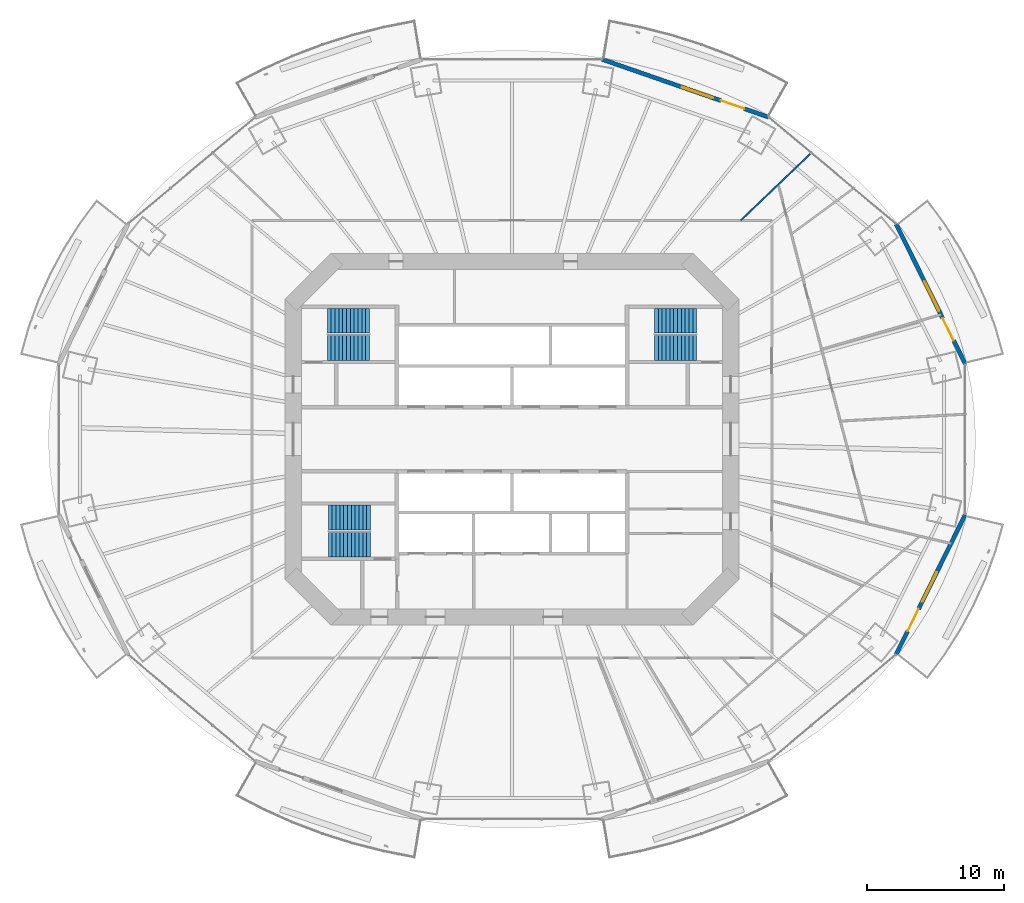
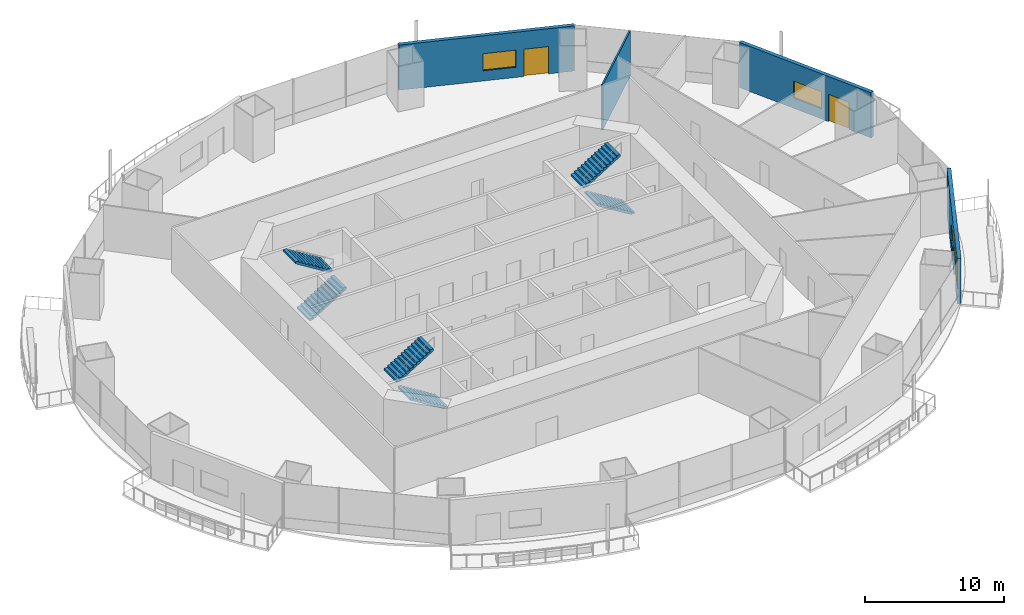
# One storey, part 16 of 21: 6 stair flights, 4 walls, 3 doors, 3 windows, 6 openings, 3 elements without a shape of their own.
"""IFC4 building model written with IfcOpenShell, lengths in metres."""

import ifcopenshell
import ifcopenshell.guid

model = None  # the IFC model being written
_history = None  # IfcOwnerHistory: only IFC2X3 demands one
_inside = {}  # id of a spatial element -> (the spatial element, [elements in it])
_under = {}  # id of a project, library or spatial element -> (it, [spatial elements below it])
_declared = {}  # id of a project -> (the project, [libraries it declares])
_typed = {}  # id of a type object -> (the type object, [elements of that type])
_made_of = {}  # id of a material, layer set ... -> (it, [elements and type objects made of it])


def new_model(schema):
    """Start an empty IFC model of exactly this schema.

    Asked for "IFC4X3", IfcOpenShell would pick the latest addendum, in which some entities
    have other attributes; the version numbers below select the first issue.
    IFC2X3 requires an IfcOwnerHistory on every rooted entity: one is made here for all.
    """
    global model, _history
    if schema == "IFC4X3":
        model = ifcopenshell.file(schema_version=(4, 3, 0, 0))
    else:
        model = ifcopenshell.file(schema=schema)
    _inside.clear()
    _under.clear()
    _declared.clear()
    _typed.clear()
    _made_of.clear()
    _history = None
    if model.schema == "IFC2X3":
        org = make("IfcOrganization", Name="unknown")
        user = make(
            "IfcPersonAndOrganization",
            ThePerson=make("IfcPerson", FamilyName="unknown"),
            TheOrganization=org,
        )
        app = make(
            "IfcApplication",
            ApplicationDeveloper=org,
            Version="unknown",
            ApplicationFullName="unknown",
            ApplicationIdentifier="unknown",
        )
        _history = make(
            "IfcOwnerHistory",
            OwningUser=user,
            OwningApplication=app,
            ChangeAction="ADDED",
            CreationDate=0,
        )
    return model


def make(cls, **values):
    """One entity of the class cls with the attributes given. An attribute that is None is left unset."""
    return model.create_entity(
        cls, **{name: value for name, value in values.items() if value is not None}
    )


def rooted(cls, **values):
    """An entity with a GlobalId (a new one), such as an element, a storey or a relation."""
    return make(cls, GlobalId=ifcopenshell.guid.new(), OwnerHistory=_history, **values)


def si_unit(unit_type, name, prefix=None):
    """IfcSIUnit, for example si_unit("LENGTHUNIT", "METRE", prefix="MILLI")."""
    return make("IfcSIUnit", UnitType=unit_type, Prefix=prefix, Name=name)


def assignment(units):
    """IfcUnitAssignment: the units of a project."""
    return None if units is None else make("IfcUnitAssignment", Units=units)


def point(xyz):
    """IfcCartesianPoint."""
    return None if xyz is None else make("IfcCartesianPoint", Coordinates=xyz)


def direction(xyz):
    """IfcDirection."""
    return None if xyz is None else make("IfcDirection", DirectionRatios=xyz)


def frame(location, z_axis=None, x_axis=None):
    """IfcAxis2Placement3D, a coordinate frame: its origin and axes. An axis left out is left unset."""
    return make(
        "IfcAxis2Placement3D",
        Location=point(location),
        Axis=direction(z_axis),
        RefDirection=direction(x_axis),
    )


def frame_2d(location, x_axis=None):
    """IfcAxis2Placement2D, a coordinate frame in the plane: its origin and x axis."""
    return make(
        "IfcAxis2Placement2D", Location=point(location), RefDirection=direction(x_axis)
    )


def origin():
    """The frame at (0, 0, 0) with its axes left unset."""
    return frame((0.0, 0.0, 0.0))


def place(relative_to, where):
    """IfcLocalPlacement: puts the frame where relative to a parent placement (None: the world)."""
    return make(
        "IfcLocalPlacement", PlacementRelTo=relative_to, RelativePlacement=where
    )


def context(
    kind, dimensions, precision=None, world=None, true_north=None, identifier=None
):
    """IfcGeometricRepresentationContext, for example the 3D "Model" context."""
    return make(
        "IfcGeometricRepresentationContext",
        ContextIdentifier=identifier,
        ContextType=kind,
        CoordinateSpaceDimension=dimensions,
        Precision=precision,
        WorldCoordinateSystem=world,
        TrueNorth=true_north,
    )


def subcontext(parent, identifier, kind, view, scale=None):
    """IfcGeometricRepresentationSubContext, for example "Body" below "Model"."""
    return make(
        "IfcGeometricRepresentationSubContext",
        ContextIdentifier=identifier,
        ContextType=kind,
        ParentContext=parent,
        TargetScale=scale,
        TargetView=view,
    )


def project(units=None, contexts=None):
    """IfcProject with its units and contexts."""
    return rooted(
        "IfcProject",
        Name="project",
        RepresentationContexts=contexts,
        UnitsInContext=assignment(units),
    )


def spatial(cls, under=None, at=None, **own):
    """A site, building, storey or space (cls), placed at a placement, below another one or the project."""
    s = rooted(cls, ObjectPlacement=at, **own)
    if under is not None:
        _under.setdefault(under.id(), (under, []))[1].append(s)
    return s


def polyline(points):
    """IfcPolyline through the points."""
    return make("IfcPolyline", Points=[point(p) for p in points])


def profile(cls, at=None, kind="AREA", **sizes):
    """A parametric profile (cls). Its sizes go by their IFC names, for example OverallWidth=200.0."""
    return make(cls, ProfileType=kind, Position=at, **sizes)


def rectangle(**sizes):
    """IfcRectangleProfileDef."""
    return profile("IfcRectangleProfileDef", **sizes)


def outline(outer, holes=None, kind="AREA"):
    """IfcArbitraryClosedProfileDef: a profile drawn as a closed curve; with holes, ...WithVoids."""
    if holes is None:
        return make("IfcArbitraryClosedProfileDef", ProfileType=kind, OuterCurve=outer)
    return make(
        "IfcArbitraryProfileDefWithVoids",
        ProfileType=kind,
        OuterCurve=outer,
        InnerCurves=holes,
    )


def extrude(swept, where, along, depth):
    """IfcExtrudedAreaSolid: the profile swept, set in the frame where, extruded along a direction by depth."""
    return make(
        "IfcExtrudedAreaSolid",
        SweptArea=swept,
        Position=where,
        ExtrudedDirection=direction(along),
        Depth=depth,
    )


def shape(context_of_items, identifier, shape_type, items):
    """IfcShapeRepresentation: the items that make up one representation, for example the "Body"."""
    return make(
        "IfcShapeRepresentation",
        ContextOfItems=context_of_items,
        RepresentationIdentifier=identifier,
        RepresentationType=shape_type,
        Items=items,
    )


def material(Name=None, Category=None):
    """IfcMaterial."""
    return make("IfcMaterial", Name=Name, Category=Category)


def layer(
    of_material, thickness, ventilated=None, Name=None, Category=None, Priority=None
):
    """IfcMaterialLayer: one layer of a wall or slab, of a material (None: an air gap)."""
    return make(
        "IfcMaterialLayer",
        Material=of_material,
        LayerThickness=thickness,
        IsVentilated=ventilated,
        Name=Name,
        Category=Category,
        Priority=Priority,
    )


def layer_set(layers, Name=None):
    """IfcMaterialLayerSet."""
    return make("IfcMaterialLayerSet", MaterialLayers=layers, LayerSetName=Name)


def made_of(thing, what):
    """Note that an element or type object is made of a material, layer set ...; save() writes the relation."""
    if what is not None:
        _made_of.setdefault(what.id(), (what, []))[1].append(thing)
    return thing


def type_object(cls, material=None, **own):
    """A type object (cls), such as IfcWallType, which elements share."""
    return made_of(rooted(cls, **own), material)


def element(
    cls,
    number,
    at=None,
    inside=None,
    cuts=None,
    type_object=None,
    material=None,
    context=None,
    identifier="Body",
    shape_type=None,
    held_by="IfcProductDefinitionShape",
    body=None,
    shapes=None,
    **own,
):
    """One element of the class cls, such as IfcWall. Its Tag is "e" and its number.

    at: its placement. inside: the storey or other place that contains it. cuts: it is an
    opening in that element (IfcRelVoidsElement). A single representation is given by context,
    identifier, shape_type and body (its items); several are given by shapes. held_by: the class
    of the entity that holds the representations. save() writes the other relations.
    """
    e = rooted(cls, Tag="e%d" % number, ObjectPlacement=at, **own)
    if body is not None:
        shapes = [shape(context, identifier, shape_type, body)]
    if shapes is not None:
        e.Representation = make(held_by, Representations=shapes)
    if inside is not None:
        _inside.setdefault(inside.id(), (inside, []))[1].append(e)
    if cuts is not None:
        rooted(
            "IfcRelVoidsElement", RelatingBuildingElement=cuts, RelatedOpeningElement=e
        )
    if type_object is not None:
        _typed.setdefault(type_object.id(), (type_object, []))[1].append(e)
    return made_of(e, material)


def fill(opening, filler):
    """IfcRelFillsElement: the door or window that sits in an opening."""
    return rooted(
        "IfcRelFillsElement",
        RelatingOpeningElement=opening,
        RelatedBuildingElement=filler,
    )


def aggregate(whole, parts):
    """IfcRelAggregates: a whole, such as a stair, and the parts it consists of."""
    return rooted("IfcRelAggregates", RelatingObject=whole, RelatedObjects=parts)


def save(model, path):
    """Write the relations noted so far, then the file.

    IfcRelAggregates (storeys below a building ...), IfcRelContainedInSpatialStructure (elements
    in a storey), IfcRelDefinesByType, IfcRelAssociatesMaterial and IfcRelDeclares: one each for
    every whole, place, type object, material and project.
    """
    for whole, parts in _under.values():
        aggregate(whole, parts)
    for where, things in _inside.values():
        rooted(
            "IfcRelContainedInSpatialStructure",
            RelatedElements=things,
            RelatingStructure=where,
        )
    for kind, things in _typed.values():
        rooted("IfcRelDefinesByType", RelatedObjects=things, RelatingType=kind)
    for what, things in _made_of.values():
        rooted("IfcRelAssociatesMaterial", RelatedObjects=things, RelatingMaterial=what)
    for by, libraries in _declared.values():
        rooted("IfcRelDeclares", RelatingContext=by, RelatedDefinitions=libraries)
    model.write(path)


model = new_model("IFC4")

# Units and contexts
model_context = context("Model", 3, precision=1e-05, world=origin(), true_north=direction((0.0, 1.0)))
body_context = subcontext(model_context, "Body", "Model", "MODEL_VIEW")
ifc_project = project(units=[si_unit("LENGTHUNIT", "METRE"), si_unit("AREAUNIT", "SQUARE_METRE"), si_unit("VOLUMEUNIT", "CUBIC_METRE"), si_unit("PLANEANGLEUNIT", "RADIAN"), si_unit("MASSUNIT", "GRAM", prefix="KILO")], contexts=[model_context])

# Site, building, storey
site_placement = place(None, origin())
site = spatial("IfcSite", under=ifc_project, at=site_placement, CompositionType="ELEMENT")
building_placement = place(site_placement, origin())
building = spatial("IfcBuilding", under=site, at=building_placement, Name="Marenthal Gate Tower", CompositionType="ELEMENT")
storey_placement = place(building_placement, frame((0.0, 0.0, 128.449951171875)))
storey = spatial("IfcBuildingStorey", under=building, at=storey_placement, Name="L27", CompositionType="ELEMENT", Elevation=128.449951171875)

# Wall
ifc_material_1 = material(Name="Gypsum board on steel studs", Category="steel")
ifc_layer_1 = layer(ifc_material_1, 0.1201171875)
ifc_layer_set_1 = layer_set([ifc_layer_1], Name="Partition 120")
wall_type_1 = type_object("IfcWallType", Name="Partition 120", PredefinedType="PARTITIONING", material=ifc_layer_set_1)
wall_1_placement = place(storey_placement, frame((16.72314453125, 16.0, 0.0), z_axis=(0.0, 0.0, 1.0), x_axis=(0.722554998294, 0.69131344153, 0.0)))
element("IfcWall", 1, at=wall_1_placement, inside=storey, type_object=wall_type_1, Name="Partition wall 53", PredefinedType="PARTITIONING", context=body_context, shape_type="SweptSolid", body=[
    extrude(rectangle(XDim=7.142578125, YDim=0.1201171875, at=frame_2d((3.5712890625, 0.0))), origin(), (0.0, 0.0, 1.0), 3.969970703125),
])

# Wall, openings, door, window
ifc_material_2 = material(Name="Terracotta cladding on insulated concrete-block backing", Category="masonry")
ifc_layer_2 = layer(ifc_material_2, 0.300048828125)
ifc_layer_set_2 = layer_set([ifc_layer_2], Name="Terracotta facade wall 300")
wall_type_2 = type_object("IfcWallType", Name="Terracotta facade wall 300", PredefinedType="SOLIDWALL", material=ifc_layer_set_2)
wall_2_placement = place(storey_placement, frame((33.134765625, 5.525390625, 0.0), z_axis=(0.0, 0.0, 1.0), x_axis=(-0.442972236493, 0.896535329865, 0.0)))
wall_2 = element("IfcWall", 2, at=wall_2_placement, inside=storey, type_object=wall_type_2, Name="Terracotta facade wall L27 bay 1", PredefinedType="SOLIDWALL", context=body_context, shape_type="SweptSolid", body=[
    extrude(rectangle(XDim=11.3876953125, YDim=0.300048828125, at=frame_2d((5.69384765625, 0.0))), origin(), (0.0, 0.0, 1.0), 3.969970703125),
])
opening_1_placement = place(wall_2_placement, frame((1.89990234375, 0.0, 0.0)))
opening_1 = element("IfcOpeningElement", 3, at=opening_1_placement, cuts=wall_2, Name="Opening BD-L27-01", PredefinedType="OPENING", context=body_context, shape_type="SweptSolid", body=[
    extrude(rectangle(XDim=1.800048828125, YDim=2.39990234375, at=frame_2d((0.89990234375, 1.199951171875))), frame((0.0, 0.16015625, 0.0), z_axis=(0.0, -1.0, 0.0), x_axis=(1.0, 0.0, 0.0)), (0.0, 0.0, 1.0), 0.320068359375),
])
opening_2_placement = place(wall_2_placement, frame((4.300048828125, 0.0, 0.89990234375)))
opening_2 = element("IfcOpeningElement", 4, at=opening_2_placement, cuts=wall_2, Name="Opening WN1-L27-01", PredefinedType="OPENING", context=body_context, shape_type="SweptSolid", body=[
    extrude(rectangle(XDim=2.39990234375, YDim=1.5, at=frame_2d((1.199951171875, 0.75))), frame((0.0, 0.16015625, 0.0), z_axis=(0.0, -1.0, 0.0), x_axis=(1.0, 0.0, 0.0)), (0.0, 0.0, 1.0), 0.320068359375),
])
ifc_material_3 = material(Name="Aluminium and glass", Category="aluminium")
door_type = type_object("IfcDoorType", Name="Balcony door 1800x2400", OperationType="DOUBLE_DOOR_SINGLE_SWING", PredefinedType="DOOR", material=ifc_material_3)
door_1_placement = place(opening_1_placement, origin())
door_1 = element("IfcDoor", 5, at=door_1_placement, inside=storey, type_object=door_type, Name="Balcony door L27 bay 1", OperationType="SINGLE_SWING_LEFT", OverallHeight=2.39990234375, OverallWidth=1.800048828125, PredefinedType="DOOR", context=body_context, shape_type="SweptSolid", body=[
    extrude(rectangle(XDim=1.800048828125, YDim=2.39990234375, at=frame_2d((0.89990234375, 1.199951171875))), frame((0.0, 0.02490234375, 0.0), z_axis=(0.0, -1.0, 0.0), x_axis=(1.0, 0.0, 0.0)), (0.0, 0.0, 1.0), 0.050048828125),
])
fill(opening_1, door_1)
ifc_material_4 = material(Name="Aluminium and glass", Category="aluminium")
window_type = type_object("IfcWindowType", Name="Window 2400x1500", PartitioningType="TRIPLE_PANEL_VERTICAL", PredefinedType="WINDOW", material=ifc_material_4)
window_1_placement = place(opening_2_placement, origin())
window_1 = element("IfcWindow", 6, at=window_1_placement, inside=storey, type_object=window_type, Name="Window L27 bay 1", OverallHeight=1.5, OverallWidth=2.39990234375, PartitioningType="SINGLE_PANEL", PredefinedType="WINDOW", context=body_context, shape_type="SweptSolid", body=[
    extrude(rectangle(XDim=2.39990234375, YDim=1.5, at=frame_2d((1.199951171875, 0.75))), frame((0.0, 0.030029296875, 0.0), z_axis=(0.0, -1.0, 0.0), x_axis=(1.0, 0.0, 0.0)), (0.0, 0.0, 1.0), 0.06005859375),
])
fill(opening_2, window_1)

wall_3_placement = place(storey_placement, frame((18.769287109375, 23.548828125, 0.0), z_axis=(0.0, 0.0, 1.0), x_axis=(-0.944664780262, 0.328037273694, 0.0)))
wall_3 = element("IfcWall", 7, at=wall_3_placement, inside=storey, type_object=wall_type_2, Name="Terracotta facade wall L27 bay 3", PredefinedType="SOLIDWALL", context=body_context, shape_type="SweptSolid", body=[
    extrude(rectangle(XDim=12.891845703125, YDim=0.300048828125, at=frame_2d((6.44580078125, 0.0))), origin(), (0.0, 0.0, 1.0), 3.969970703125),
])
opening_3_placement = place(wall_3_placement, frame((1.89990234375, 0.0, 0.0)))
opening_3 = element("IfcOpeningElement", 8, at=opening_3_placement, cuts=wall_3, Name="Opening BD-L27-03", PredefinedType="OPENING", context=body_context, shape_type="SweptSolid", body=[
    extrude(rectangle(XDim=1.800048828125, YDim=2.39990234375, at=frame_2d((0.89990234375, 1.199951171875))), frame((0.0, 0.16015625, 0.0), z_axis=(0.0, -1.0, 0.0), x_axis=(1.0, 0.0, 0.0)), (0.0, 0.0, 1.0), 0.320068359375),
])
opening_4_placement = place(wall_3_placement, frame((4.300048828125, 0.0, 0.89990234375)))
opening_4 = element("IfcOpeningElement", 9, at=opening_4_placement, cuts=wall_3, Name="Opening WN1-L27-03", PredefinedType="OPENING", context=body_context, shape_type="SweptSolid", body=[
    extrude(rectangle(XDim=2.39990234375, YDim=1.5, at=frame_2d((1.199951171875, 0.75))), frame((0.0, 0.16015625, 0.0), z_axis=(0.0, -1.0, 0.0), x_axis=(1.0, 0.0, 0.0)), (0.0, 0.0, 1.0), 0.320068359375),
])
door_2_placement = place(opening_3_placement, origin())
door_2 = element("IfcDoor", 10, at=door_2_placement, inside=storey, type_object=door_type, Name="Balcony door L27 bay 3", OperationType="SINGLE_SWING_LEFT", OverallHeight=2.39990234375, OverallWidth=1.800048828125, PredefinedType="DOOR", context=body_context, shape_type="SweptSolid", body=[
    extrude(rectangle(XDim=1.800048828125, YDim=2.39990234375, at=frame_2d((0.89990234375, 1.199951171875))), frame((0.0, 0.02490234375, 0.0), z_axis=(0.0, -1.0, 0.0), x_axis=(1.0, 0.0, 0.0)), (0.0, 0.0, 1.0), 0.050048828125),
])
fill(opening_3, door_2)
window_2_placement = place(opening_4_placement, origin())
window_2 = element("IfcWindow", 11, at=window_2_placement, inside=storey, type_object=window_type, Name="Window L27 bay 3", OverallHeight=1.5, OverallWidth=2.39990234375, PartitioningType="SINGLE_PANEL", PredefinedType="WINDOW", context=body_context, shape_type="SweptSolid", body=[
    extrude(rectangle(XDim=2.39990234375, YDim=1.5, at=frame_2d((1.199951171875, 0.75))), frame((0.0, 0.030029296875, 0.0), z_axis=(0.0, -1.0, 0.0), x_axis=(1.0, 0.0, 0.0)), (0.0, 0.0, 1.0), 0.06005859375),
])
fill(opening_4, window_2)

wall_4_placement = place(storey_placement, frame((28.09033203125, -15.73486328125, 0.0), z_axis=(0.0, 0.0, 1.0), x_axis=(0.442972236493, 0.896535329865, 0.0)))
wall_4 = element("IfcWall", 12, at=wall_4_placement, inside=storey, type_object=wall_type_2, Name="Terracotta facade wall L27 bay 15", PredefinedType="SOLIDWALL", context=body_context, shape_type="SweptSolid", body=[
    extrude(rectangle(XDim=11.3876953125, YDim=0.300048828125, at=frame_2d((5.69384765625, 0.0))), origin(), (0.0, 0.0, 1.0), 3.969970703125),
])
opening_5_placement = place(wall_4_placement, frame((1.89990234375, 0.0, 0.0)))
opening_5 = element("IfcOpeningElement", 13, at=opening_5_placement, cuts=wall_4, Name="Opening BD-L27-15", PredefinedType="OPENING", context=body_context, shape_type="SweptSolid", body=[
    extrude(rectangle(XDim=1.800048828125, YDim=2.39990234375, at=frame_2d((0.89990234375, 1.199951171875))), frame((0.0, 0.16015625, 0.0), z_axis=(0.0, -1.0, 0.0), x_axis=(1.0, 0.0, 0.0)), (0.0, 0.0, 1.0), 0.320068359375),
])
opening_6_placement = place(wall_4_placement, frame((4.300048828125, 0.0, 0.89990234375)))
opening_6 = element("IfcOpeningElement", 14, at=opening_6_placement, cuts=wall_4, Name="Opening WN1-L27-15", PredefinedType="OPENING", context=body_context, shape_type="SweptSolid", body=[
    extrude(rectangle(XDim=2.39990234375, YDim=1.5, at=frame_2d((1.199951171875, 0.75))), frame((0.0, 0.16015625, 0.0), z_axis=(0.0, -1.0, 0.0), x_axis=(1.0, 0.0, 0.0)), (0.0, 0.0, 1.0), 0.320068359375),
])
door_3_placement = place(opening_5_placement, origin())
door_3 = element("IfcDoor", 15, at=door_3_placement, inside=storey, type_object=door_type, Name="Balcony door L27 bay 15", OperationType="SINGLE_SWING_LEFT", OverallHeight=2.39990234375, OverallWidth=1.800048828125, PredefinedType="DOOR", context=body_context, shape_type="SweptSolid", body=[
    extrude(rectangle(XDim=1.800048828125, YDim=2.39990234375, at=frame_2d((0.89990234375, 1.199951171875))), frame((0.0, 0.02490234375, 0.0), z_axis=(0.0, -1.0, 0.0), x_axis=(1.0, 0.0, 0.0)), (0.0, 0.0, 1.0), 0.050048828125),
])
fill(opening_5, door_3)
window_3_placement = place(opening_6_placement, origin())
window_3 = element("IfcWindow", 16, at=window_3_placement, inside=storey, type_object=window_type, Name="Window L27 bay 15", OverallHeight=1.5, OverallWidth=2.39990234375, PartitioningType="SINGLE_PANEL", PredefinedType="WINDOW", context=body_context, shape_type="SweptSolid", body=[
    extrude(rectangle(XDim=2.39990234375, YDim=1.5, at=frame_2d((1.199951171875, 0.75))), frame((0.0, 0.030029296875, 0.0), z_axis=(0.0, -1.0, 0.0), x_axis=(1.0, 0.0, 0.0)), (0.0, 0.0, 1.0), 0.06005859375),
])
fill(opening_6, window_3)

# Stair, stair flights
ifc_material_5 = material(Name="Concrete 40 MPa", Category="concrete")
stair_type = type_object("IfcStairType", Name="Exit stair 1800", PredefinedType="HALF_TURN_STAIR", material=ifc_material_5)
stair_1_placement = place(storey_placement, origin())
stair_1 = element("IfcStair", 17, at=stair_1_placement, inside=storey, type_object=stair_type, Name="Stair ST1", PredefinedType="HALF_TURN_STAIR")
ifc_material_6 = material(Name="Concrete 40 MPa", Category="concrete")
stair_flight_type = type_object("IfcStairFlightType", Name="Stair flight 1800", PredefinedType="STRAIGHT", material=ifc_material_6)
stair_flight_1_placement = place(storey_placement, frame((-13.5, 6.675048828125, 0.0), z_axis=(0.0, 0.0, 1.0), x_axis=(1.0, 0.0, 0.0)))
stair_flight_1 = element("IfcStairFlight", 18, at=stair_flight_1_placement, type_object=stair_flight_type, Name="ST1 flight 1", NumberOfRisers=12, NumberOfTreads=11, PredefinedType="STRAIGHT", RiserHeight=0.172916667, TreadLength=0.28, context=body_context, shape_type="SweptSolid", body=[
    extrude(outline(polyline([(0.0, 0.0), (0.0, 0.1728515625), (0.280029296875, 0.1728515625), (0.280029296875, 0.345947265625), (0.56005859375, 0.345947265625), (0.56005859375, 0.518798828125), (0.840087890625, 0.518798828125), (0.840087890625, 0.691650390625), (1.1201171875, 0.691650390625), (1.1201171875, 0.864501953125), (1.39990234375, 0.864501953125), (1.39990234375, 1.03759765625), (1.679931640625, 1.03759765625), (1.679931640625, 1.21044921875), (1.9599609375, 1.21044921875), (1.9599609375, 1.38330078125), (2.239990234375, 1.38330078125), (2.239990234375, 1.55615234375), (2.52001953125, 1.55615234375), (2.52001953125, 1.729248046875), (2.800048828125, 1.729248046875), (2.800048828125, 1.902099609375), (3.080078125, 1.902099609375), (3.080078125, 2.074951171875), (3.080078125, 1.725830078125), (0.285400390625, 0.0), (0.0, 0.0)])), frame((0.0, 0.89990234375, 0.0), z_axis=(0.0, -1.0, 0.0), x_axis=(1.0, 0.0, 0.0)), (0.0, 0.0, 1.0), 1.800048828125),
])
stair_flight_2_placement = place(storey_placement, frame((-10.419921875, 8.675048828125, 2.074951171875), z_axis=(0.0, 0.0, 1.0), x_axis=(-1.0, 0.0, 0.0)))
stair_flight_2 = element("IfcStairFlight", 19, at=stair_flight_2_placement, type_object=stair_flight_type, Name="ST1 flight 2", NumberOfRisers=12, NumberOfTreads=11, PredefinedType="STRAIGHT", RiserHeight=0.172916667, TreadLength=0.28, context=body_context, shape_type="SweptSolid", body=[
    extrude(outline(polyline([(0.0, 0.0), (0.0, 0.1728515625), (0.280029296875, 0.1728515625), (0.280029296875, 0.345947265625), (0.56005859375, 0.345947265625), (0.56005859375, 0.518798828125), (0.840087890625, 0.518798828125), (0.840087890625, 0.691650390625), (1.1201171875, 0.691650390625), (1.1201171875, 0.864501953125), (1.39990234375, 0.864501953125), (1.39990234375, 1.03759765625), (1.679931640625, 1.03759765625), (1.679931640625, 1.21044921875), (1.9599609375, 1.21044921875), (1.9599609375, 1.38330078125), (2.239990234375, 1.38330078125), (2.239990234375, 1.55615234375), (2.52001953125, 1.55615234375), (2.52001953125, 1.729248046875), (2.800048828125, 1.729248046875), (2.800048828125, 1.902099609375), (3.080078125, 1.902099609375), (3.080078125, 2.074951171875), (3.080078125, 1.725830078125), (0.285400390625, 0.0), (0.0, 0.0)])), frame((0.0, 0.89990234375, 0.0), z_axis=(0.0, -1.0, 0.0), x_axis=(1.0, 0.0, 0.0)), (0.0, 0.0, 1.0), 1.800048828125),
])
aggregate(stair_1, [stair_flight_1, stair_flight_2])

stair_2_placement = place(storey_placement, origin())
stair_2 = element("IfcStair", 20, at=stair_2_placement, inside=storey, type_object=stair_type, Name="Stair ST2", PredefinedType="HALF_TURN_STAIR")
stair_flight_3_placement = place(storey_placement, frame((-10.35009765625, -7.72509765625, 0.0), z_axis=(0.0, 0.0, 1.0), x_axis=(-1.0, 0.0, 0.0)))
stair_flight_3 = element("IfcStairFlight", 21, at=stair_flight_3_placement, type_object=stair_flight_type, Name="ST2 flight 1", NumberOfRisers=12, NumberOfTreads=11, PredefinedType="STRAIGHT", RiserHeight=0.172916667, TreadLength=0.28, context=body_context, shape_type="SweptSolid", body=[
    extrude(outline(polyline([(0.0, 0.0), (0.0, 0.1728515625), (0.280029296875, 0.1728515625), (0.280029296875, 0.345947265625), (0.56005859375, 0.345947265625), (0.56005859375, 0.518798828125), (0.840087890625, 0.518798828125), (0.840087890625, 0.691650390625), (1.1201171875, 0.691650390625), (1.1201171875, 0.864501953125), (1.39990234375, 0.864501953125), (1.39990234375, 1.03759765625), (1.679931640625, 1.03759765625), (1.679931640625, 1.21044921875), (1.9599609375, 1.21044921875), (1.9599609375, 1.38330078125), (2.239990234375, 1.38330078125), (2.239990234375, 1.55615234375), (2.52001953125, 1.55615234375), (2.52001953125, 1.729248046875), (2.800048828125, 1.729248046875), (2.800048828125, 1.902099609375), (3.080078125, 1.902099609375), (3.080078125, 2.074951171875), (3.080078125, 1.725830078125), (0.285400390625, 0.0), (0.0, 0.0)])), frame((0.0, 0.89990234375, 0.0), z_axis=(0.0, -1.0, 0.0), x_axis=(1.0, 0.0, 0.0)), (0.0, 0.0, 1.0), 1.800048828125),
])
stair_flight_4_placement = place(storey_placement, frame((-13.429931640625, -5.72509765625, 2.074951171875), z_axis=(0.0, 0.0, 1.0), x_axis=(1.0, 0.0, 0.0)))
stair_flight_4 = element("IfcStairFlight", 22, at=stair_flight_4_placement, type_object=stair_flight_type, Name="ST2 flight 2", NumberOfRisers=12, NumberOfTreads=11, PredefinedType="STRAIGHT", RiserHeight=0.172916667, TreadLength=0.28, context=body_context, shape_type="SweptSolid", body=[
    extrude(outline(polyline([(0.0, 0.0), (0.0, 0.1728515625), (0.280029296875, 0.1728515625), (0.280029296875, 0.345947265625), (0.56005859375, 0.345947265625), (0.56005859375, 0.518798828125), (0.840087890625, 0.518798828125), (0.840087890625, 0.691650390625), (1.1201171875, 0.691650390625), (1.1201171875, 0.864501953125), (1.39990234375, 0.864501953125), (1.39990234375, 1.03759765625), (1.679931640625, 1.03759765625), (1.679931640625, 1.21044921875), (1.9599609375, 1.21044921875), (1.9599609375, 1.38330078125), (2.239990234375, 1.38330078125), (2.239990234375, 1.55615234375), (2.52001953125, 1.55615234375), (2.52001953125, 1.729248046875), (2.800048828125, 1.729248046875), (2.800048828125, 1.902099609375), (3.080078125, 1.902099609375), (3.080078125, 2.074951171875), (3.080078125, 1.725830078125), (0.285400390625, 0.0), (0.0, 0.0)])), frame((0.0, 0.89990234375, 0.0), z_axis=(0.0, -1.0, 0.0), x_axis=(1.0, 0.0, 0.0)), (0.0, 0.0, 1.0), 1.800048828125),
])
aggregate(stair_2, [stair_flight_3, stair_flight_4])

stair_3_placement = place(storey_placement, origin())
stair_3 = element("IfcStair", 23, at=stair_3_placement, inside=storey, type_object=stair_type, Name="Stair ST3", PredefinedType="HALF_TURN_STAIR")
stair_flight_5_placement = place(storey_placement, frame((13.5, 6.675048828125, 0.0), z_axis=(0.0, 0.0, 1.0), x_axis=(-1.0, 0.0, 0.0)))
stair_flight_5 = element("IfcStairFlight", 24, at=stair_flight_5_placement, type_object=stair_flight_type, Name="ST3 flight 1", NumberOfRisers=12, NumberOfTreads=11, PredefinedType="STRAIGHT", RiserHeight=0.172916667, TreadLength=0.28, context=body_context, shape_type="SweptSolid", body=[
    extrude(outline(polyline([(0.0, 0.0), (0.0, 0.1728515625), (0.280029296875, 0.1728515625), (0.280029296875, 0.345947265625), (0.56005859375, 0.345947265625), (0.56005859375, 0.518798828125), (0.840087890625, 0.518798828125), (0.840087890625, 0.691650390625), (1.1201171875, 0.691650390625), (1.1201171875, 0.864501953125), (1.39990234375, 0.864501953125), (1.39990234375, 1.03759765625), (1.679931640625, 1.03759765625), (1.679931640625, 1.21044921875), (1.9599609375, 1.21044921875), (1.9599609375, 1.38330078125), (2.239990234375, 1.38330078125), (2.239990234375, 1.55615234375), (2.52001953125, 1.55615234375), (2.52001953125, 1.729248046875), (2.800048828125, 1.729248046875), (2.800048828125, 1.902099609375), (3.080078125, 1.902099609375), (3.080078125, 2.074951171875), (3.080078125, 1.725830078125), (0.285400390625, 0.0), (0.0, 0.0)])), frame((0.0, 0.89990234375, 0.0), z_axis=(0.0, -1.0, 0.0), x_axis=(1.0, 0.0, 0.0)), (0.0, 0.0, 1.0), 1.800048828125),
])
stair_flight_6_placement = place(storey_placement, frame((10.419921875, 8.675048828125, 2.074951171875), z_axis=(0.0, 0.0, 1.0), x_axis=(1.0, 0.0, 0.0)))
stair_flight_6 = element("IfcStairFlight", 25, at=stair_flight_6_placement, type_object=stair_flight_type, Name="ST3 flight 2", NumberOfRisers=12, NumberOfTreads=11, PredefinedType="STRAIGHT", RiserHeight=0.172916667, TreadLength=0.28, context=body_context, shape_type="SweptSolid", body=[
    extrude(outline(polyline([(0.0, 0.0), (0.0, 0.1728515625), (0.280029296875, 0.1728515625), (0.280029296875, 0.345947265625), (0.56005859375, 0.345947265625), (0.56005859375, 0.518798828125), (0.840087890625, 0.518798828125), (0.840087890625, 0.691650390625), (1.1201171875, 0.691650390625), (1.1201171875, 0.864501953125), (1.39990234375, 0.864501953125), (1.39990234375, 1.03759765625), (1.679931640625, 1.03759765625), (1.679931640625, 1.21044921875), (1.9599609375, 1.21044921875), (1.9599609375, 1.38330078125), (2.239990234375, 1.38330078125), (2.239990234375, 1.55615234375), (2.52001953125, 1.55615234375), (2.52001953125, 1.729248046875), (2.800048828125, 1.729248046875), (2.800048828125, 1.902099609375), (3.080078125, 1.902099609375), (3.080078125, 2.074951171875), (3.080078125, 1.725830078125), (0.285400390625, 0.0), (0.0, 0.0)])), frame((0.0, 0.89990234375, 0.0), z_axis=(0.0, -1.0, 0.0), x_axis=(1.0, 0.0, 0.0)), (0.0, 0.0, 1.0), 1.800048828125),
])
aggregate(stair_3, [stair_flight_5, stair_flight_6])

save(model, "model.ifc")
